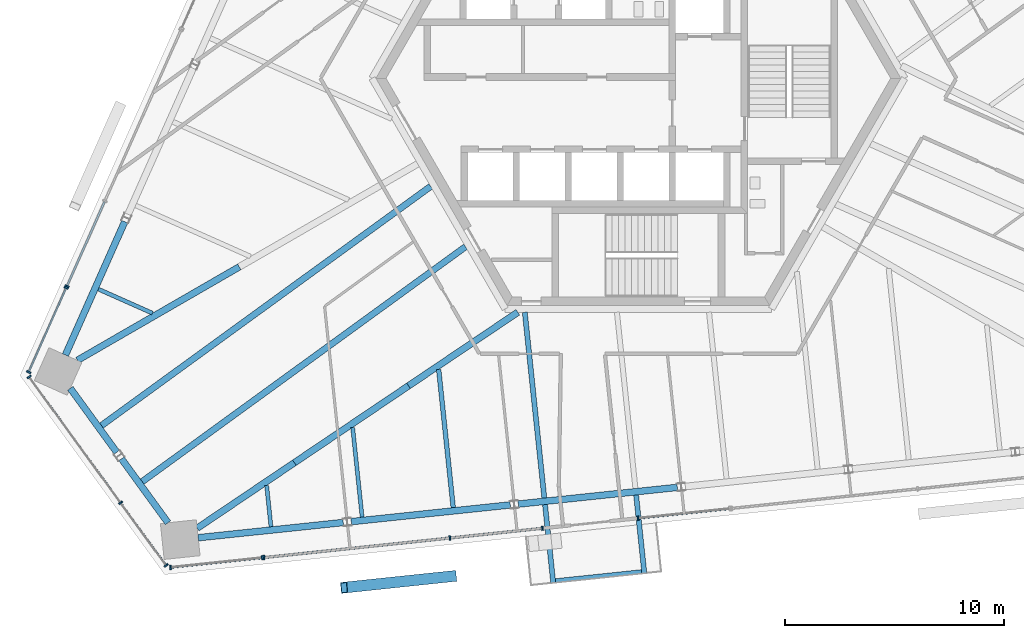
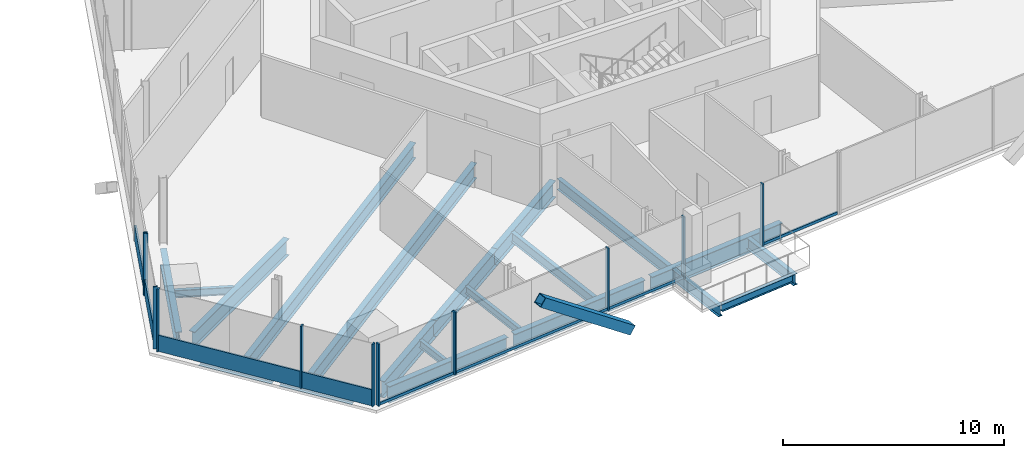
# One storey, part 4 of 19: 21 members, 20 beams, 6 elements without a shape of their own.
"""IFC4 building model written with IfcOpenShell, lengths in metres."""

from ifc_helpers import new_model, si_unit, direction, frame, origin, origin_2d, place, context, subcontext, project, spatial, rectangle, hollow_rectangle, i_section, extrude, source, transform, mapped, material, material_profile, profile_set, type_object, element, aggregate, save


model = new_model("IFC4")

# Units and contexts
model_context = context("Model", 3, precision=1e-05, world=origin(), true_north=direction((0.0, 1.0)))
body_context = subcontext(model_context, "Body", "Model", "MODEL_VIEW")
ifc_project = project(units=[si_unit("LENGTHUNIT", "METRE"), si_unit("AREAUNIT", "SQUARE_METRE"), si_unit("VOLUMEUNIT", "CUBIC_METRE"), si_unit("PLANEANGLEUNIT", "RADIAN"), si_unit("MASSUNIT", "GRAM", prefix="KILO")], contexts=[model_context])

# Site, building, storey
site_placement = place(None, origin())
site = spatial("IfcSite", under=ifc_project, at=site_placement, CompositionType="ELEMENT")
building_placement = place(site_placement, origin())
building = spatial("IfcBuilding", under=site, at=building_placement, Name="Triune Harvest Tower", CompositionType="ELEMENT")
storey_placement = place(building_placement, frame((0.0, 0.0, 244.89990234375)))
storey = spatial("IfcBuildingStorey", under=building, at=storey_placement, Name="L64", CompositionType="ELEMENT", Elevation=244.89990234375)

# Curtain wall, member
ifc_material_1 = material(Name="Aluminium bronze anodised", Category="aluminium")
curtain_wall_type_1 = type_object("IfcCurtainWallType", Name="CW-6 Balcony window wall", PredefinedType="NOTDEFINED", material=ifc_material_1)
curtain_wall_1_placement = place(storey_placement, origin())
curtain_wall_1 = element("IfcCurtainWall", 1, at=curtain_wall_1_placement, inside=storey, type_object=curtain_wall_type_1, Name="CW-6 B6-F5 L64 run 1")
ifc_material_2 = material(Name="Aluminium bronze anodised", Category="aluminium")
ifc_material_profile_1 = material_profile(ifc_material_2, rectangle(XDim=0.090087890625, YDim=0.14990234375, at=origin_2d()), Name="TR-6 transom 90 x 150")
ifc_profile_set_1 = profile_set([ifc_material_profile_1], Name="Aluminium bronze anodised")
member_type_1 = type_object("IfcMemberType", Name="TR-6 transom 90 x 150", PredefinedType="USERDEFINED", material=ifc_profile_set_1)
member_1_placement = place(storey_placement, frame((-21.35498046875, -22.358154296875, 0.0751953125), z_axis=(0.994522872176, 0.104519169149, 0.0), x_axis=(-0.104519169149, 0.994522872176, 0.0)))
member_1 = element("IfcMember", 2, at=member_1_placement, type_object=member_type_1, Name="CW-6 transom B6-F5 1.1", ObjectType="TRANSOM", PredefinedType="USERDEFINED", context=body_context, shape_type="SweptSolid", body=[
    extrude(rectangle(XDim=0.090087890625, YDim=0.14990234375, at=origin_2d()), origin(), (0.0, 0.0, 1.0), 4.143798828125),
])

ifc_material_3 = material(Name="Aluminium bronze anodised", Category="aluminium")
curtain_wall_type_2 = type_object("IfcCurtainWallType", Name="CW-10 Balcony window wall with insulated spandrel infill", PredefinedType="NOTDEFINED", material=ifc_material_3)
curtain_wall_2_placement = place(storey_placement, origin())
curtain_wall_2 = element("IfcCurtainWall", 3, at=curtain_wall_2_placement, inside=storey, type_object=curtain_wall_type_2, Name="CW-10 B6-F5 L64 run 1001")
member_2_placement = place(storey_placement, frame((-8.581298828125, -21.015625, 0.0751953125), z_axis=(0.994517284065, 0.104572327585, 0.0), x_axis=(-0.104572327585, 0.994517284065, 0.0)))
member_2 = element("IfcMember", 4, at=member_2_placement, type_object=member_type_1, Name="CW-10 transom B6-F5 1001.2", ObjectType="TRANSOM", PredefinedType="USERDEFINED", context=body_context, shape_type="SweptSolid", body=[
    extrude(rectangle(XDim=0.090087890625, YDim=0.14990234375, at=origin_2d()), origin(), (0.0, 0.0, 1.0), 4.181396484375),
])

curtain_wall_3_placement = place(storey_placement, origin())
curtain_wall_3 = element("IfcCurtainWall", 5, at=curtain_wall_3_placement, inside=storey, type_object=curtain_wall_type_1, Name="CW-6 B6-F5 L64 run 2")
member_3_placement = place(storey_placement, frame((0.019287109375, -20.111572265625, 0.0751953125), z_axis=(0.994523806529, 0.104510278191, 0.0), x_axis=(-0.104510278191, 0.994523806529, 0.0)))
member_3 = element("IfcMember", 6, at=member_3_placement, type_object=member_type_1, Name="CW-6 transom B6-F5 2.1", ObjectType="TRANSOM", PredefinedType="USERDEFINED", context=body_context, shape_type="SweptSolid", body=[
    extrude(rectangle(XDim=0.090087890625, YDim=0.14990234375, at=origin_2d()), origin(), (0.0, 0.0, 1.0), 4.151123046875),
])

# Beams
ifc_material_4 = material(Name="Steel ASTM A992 Gr 50", Category="steel")
ifc_material_profile_2 = material_profile(ifc_material_4, i_section(OverallWidth=0.3046875, OverallDepth=0.914306640625, WebThickness=0.0166015625, FlangeThickness=0.02587890625, at=origin_2d()), Name="W36x160")
ifc_profile_set_2 = profile_set([ifc_material_profile_2], Name="Steel ASTM A992 Gr 50")
beam_type_1 = type_object("IfcBeamType", Name="HG-3 Hip girder W36x160", PredefinedType="BEAM", material=ifc_profile_set_2)
shared_shape_1 = source(origin(), body_context, "Body", "SweptSolid", [
    extrude(i_section(OverallWidth=0.3046875, OverallDepth=0.914306640625, WebThickness=0.0166015625, FlangeThickness=0.02587890625, at=origin_2d()), origin(), (0.0, 0.0, 1.0), 6.293701171875),
])
beam_1_placement = place(storey_placement, frame((-15.72802734375, -17.576904296875, -0.6171875), z_axis=(0.829391075311, 0.558668456416, 0.0), x_axis=(-0.558668456416, 0.829391075311, 0.0)))
element("IfcBeam", 7, at=beam_1_placement, inside=storey, type_object=beam_type_1, Name="beam/L64/HG8", PredefinedType="BEAM", context=body_context, shape_type="MappedRepresentation", body=[
    mapped(shared_shape_1, transform((0.0, 0.0, 0.0), scale=1.0)),
])
shared_shape_2 = source(origin(), body_context, "Body", "SweptSolid", [
    extrude(i_section(OverallWidth=0.3046875, OverallDepth=0.914306640625, WebThickness=0.0166015625, FlangeThickness=0.02587890625, at=origin_2d()), origin(), (0.0, 0.0, 1.0), 6.02099609375),
])
beam_2_placement = place(storey_placement, frame((-10.508056640625, -14.060791015625, -0.6171875), z_axis=(0.829383245618, 0.558680080088, 0.0), x_axis=(-0.558680080088, 0.829383245618, 0.0)))
element("IfcBeam", 8, at=beam_2_placement, inside=storey, type_object=beam_type_1, Name="beam/L64/HG9", PredefinedType="BEAM", context=body_context, shape_type="MappedRepresentation", body=[
    mapped(shared_shape_2, transform((0.0, 0.0, 0.0), scale=1.0)),
])
ifc_material_5 = material(Name="Steel ASTM A992 Gr 50", Category="steel")
ifc_material_profile_3 = material_profile(ifc_material_5, i_section(OverallWidth=0.3046875, OverallDepth=0.914306640625, WebThickness=0.0166015625, FlangeThickness=0.02587890625, at=origin_2d()), Name="W36x160")
ifc_profile_set_3 = profile_set([ifc_material_profile_3], Name="Steel ASTM A992 Gr 50")
beam_type_2 = type_object("IfcBeamType", Name="SB-1 Spandrel beam W36x160", PredefinedType="SPANDREL", material=ifc_profile_set_3)
shared_shape_3 = source(origin(), body_context, "Body", "SweptSolid", [
    extrude(i_section(OverallWidth=0.3046875, OverallDepth=0.914306640625, WebThickness=0.0166015625, FlangeThickness=0.02587890625, at=origin_2d()), origin(), (0.0, 0.0, 1.0), 6.67041015625),
])
beam_3_placement = place(storey_placement, frame((-20.127685546875, -21.007080078125, -0.6171875), z_axis=(0.994521485501, 0.104532362822, 0.0), x_axis=(-0.104532362822, 0.994521485501, 0.0)))
element("IfcBeam", 9, at=beam_3_placement, inside=storey, type_object=beam_type_2, Name="beam/L64/SB17", PredefinedType="SPANDREL", context=body_context, shape_type="MappedRepresentation", body=[
    mapped(shared_shape_3, transform((0.0, 0.0, 0.0), scale=1.0)),
])
shared_shape_4 = source(origin(), body_context, "Body", "SweptSolid", [
    extrude(i_section(OverallWidth=0.3046875, OverallDepth=0.914306640625, WebThickness=0.0166015625, FlangeThickness=0.02587890625, at=origin_2d()), origin(), (0.0, 0.0, 1.0), 7.31103515625),
])
beam_4_placement = place(storey_placement, frame((-13.127685546875, -20.271240234375, -0.6171875), z_axis=(0.994522639393, 0.104521384101, 0.0), x_axis=(-0.104521384101, 0.994522639393, 0.0)))
element("IfcBeam", 10, at=beam_4_placement, inside=storey, type_object=beam_type_2, Name="beam/L64/SB18", PredefinedType="SPANDREL", context=body_context, shape_type="MappedRepresentation", body=[
    mapped(shared_shape_4, transform((0.0, 0.0, 0.0), scale=1.0)),
])
shared_shape_5 = source(origin(), body_context, "Body", "SweptSolid", [
    extrude(i_section(OverallWidth=0.3046875, OverallDepth=0.914306640625, WebThickness=0.0166015625, FlangeThickness=0.02587890625, at=origin_2d()), origin(), (0.0, 0.0, 1.0), 3.614990234375),
])
for number, where, z_axis, x_axis, name in (
    (11, (-25.974365234375, -14.175537109375, -0.6171875), (0.587818273033, -0.808993002373, 0.0), (0.808993002373, 0.587818273033, 0.0), "beam/L64/SB15"),
    (12, (-23.633056640625, -17.39794921875, -0.6171875), (0.587818273033, -0.808993002373, 0.0), (0.808993002373, 0.587818273033, 0.0), "beam/L64/SB16"),
):
    element("IfcBeam", number, at=place(storey_placement, frame(where, z_axis=z_axis, x_axis=x_axis)), inside=storey, type_object=beam_type_2, Name=name, PredefinedType="SPANDREL", context=body_context, shape_type="MappedRepresentation", body=[
        mapped(shared_shape_5, transform((0.0, 0.0, 0.0), scale=1.0)),
    ])
shared_shape_6 = source(origin(), body_context, "Body", "SweptSolid", [
    extrude(i_section(OverallWidth=0.3046875, OverallDepth=0.914306640625, WebThickness=0.0166015625, FlangeThickness=0.02587890625, at=origin_2d()), origin(), (0.0, 0.0, 1.0), 6.670166015625),
])
beam_5_placement = place(storey_placement, frame((-23.485595703125, -6.5576171875, -0.6171875), z_axis=(-0.406722507275, -0.913551751176, 0.0), x_axis=(0.913551751176, -0.406722507275, 0.0)))
element("IfcBeam", 13, at=beam_5_placement, inside=storey, type_object=beam_type_2, Name="beam/L64/SB14", PredefinedType="SPANDREL", context=body_context, shape_type="MappedRepresentation", body=[
    mapped(shared_shape_6, transform((0.0, 0.0, 0.0), scale=1.0)),
])
shared_shape_7 = source(origin(), body_context, "Body", "SweptSolid", [
    extrude(i_section(OverallWidth=0.3046875, OverallDepth=0.914306640625, WebThickness=0.0166015625, FlangeThickness=0.02587890625, at=origin_2d()), origin(), (0.0, 0.0, 1.0), 7.311279296875),
])
beam_6_placement = place(storey_placement, frame((-5.490478515625, -19.468505859375, -0.6171875), z_axis=(0.994519532674, 0.104550940362, 0.0), x_axis=(-0.104550940362, 0.994519532674, 0.0)))
element("IfcBeam", 14, at=beam_6_placement, inside=storey, type_object=beam_type_2, Name="beam/L64/SB19", PredefinedType="SPANDREL", context=body_context, shape_type="MappedRepresentation", body=[
    mapped(shared_shape_7, transform((0.0, 0.0, 0.0), scale=1.0)),
])
shared_shape_8 = source(origin(), body_context, "Body", "SweptSolid", [
    extrude(i_section(OverallWidth=0.3046875, OverallDepth=0.914306640625, WebThickness=0.0166015625, FlangeThickness=0.02587890625, at=origin_2d()), origin(), (0.0, 0.0, 1.0), 8.548583984375),
])
beam_7_placement = place(storey_placement, frame((-25.651123046875, -12.89501953125, -0.6171875), z_axis=(0.866020080793, 0.500009219579, 0.0), x_axis=(-0.500009219579, 0.866020080793, 0.0)))
element("IfcBeam", 15, at=beam_7_placement, inside=storey, type_object=beam_type_1, Name="beam/L64/HG5", PredefinedType="BEAM", context=body_context, shape_type="MappedRepresentation", body=[
    mapped(shared_shape_8, transform((0.0, 0.0, 0.0), scale=1.0)),
])
shared_shape_9 = source(origin(), body_context, "Body", "SweptSolid", [
    extrude(i_section(OverallWidth=0.3046875, OverallDepth=0.914306640625, WebThickness=0.0166015625, FlangeThickness=0.02587890625, at=origin_2d()), origin(), (0.0, 0.0, 1.0), 5.35986328125),
])
beam_8_placement = place(storey_placement, frame((-20.173583984375, -20.5712890625, -0.6171875), z_axis=(0.829399024376, 0.558656655169, 0.0), x_axis=(-0.558656655169, 0.829399024376, 0.0)))
element("IfcBeam", 16, at=beam_8_placement, inside=storey, type_object=beam_type_1, Name="beam/L64/HG7", PredefinedType="BEAM", context=body_context, shape_type="MappedRepresentation", body=[
    mapped(shared_shape_9, transform((0.0, 0.0, 0.0), scale=1.0)),
])
ifc_material_6 = material(Name="Steel ASTM A992 Gr 50", Category="steel")
ifc_material_profile_4 = material_profile(ifc_material_6, i_section(OverallWidth=0.2099609375, OverallDepth=0.535888671875, WebThickness=0.010986328125, FlangeThickness=0.017333984375, at=origin_2d()), Name="W21x68")
ifc_profile_set_4 = profile_set([ifc_material_profile_4], Name="Steel ASTM A992 Gr 50")
beam_type_3 = type_object("IfcBeamType", Name="JT-2 Floor joist W21x68", PredefinedType="JOIST", material=ifc_profile_set_4)
shared_shape_10 = source(origin(), body_context, "Body", "SweptSolid", [
    extrude(i_section(OverallWidth=0.2099609375, OverallDepth=0.535888671875, WebThickness=0.010986328125, FlangeThickness=0.017333984375, at=origin_2d()), origin(), (0.0, 0.0, 1.0), 6.346435546875),
])
beam_9_placement = place(storey_placement, frame((-8.466552734375, -19.628173828125, -0.427978515625), z_axis=(-0.104518578592, 0.99452293424, 0.0), x_axis=(-0.99452293424, -0.104518578592, 0.0)))
element("IfcBeam", 17, at=beam_9_placement, inside=storey, type_object=beam_type_3, Name="beam/L64/JT27", PredefinedType="JOIST", context=body_context, shape_type="MappedRepresentation", body=[
    mapped(shared_shape_10, transform((0.0, 0.0, 0.0), scale=1.0)),
])
ifc_material_7 = material(Name="Steel ASTM A992 Gr 50", Category="steel")
ifc_material_profile_5 = material_profile(ifc_material_7, i_section(OverallWidth=0.2919921875, OverallDepth=0.8408203125, WebThickness=0.0146484375, FlangeThickness=0.021728515625, at=origin_2d()), Name="W33x130")
ifc_profile_set_5 = profile_set([ifc_material_profile_5], Name="Steel ASTM A992 Gr 50")
beam_type_4 = type_object("IfcBeamType", Name="JT-6 Floor joist W33x130", PredefinedType="JOIST", material=ifc_profile_set_5)
shared_shape_11 = source(origin(), body_context, "Body", "SweptSolid", [
    extrude(i_section(OverallWidth=0.2919921875, OverallDepth=0.8408203125, WebThickness=0.0146484375, FlangeThickness=0.021728515625, at=origin_2d()), origin(), (0.0, 0.0, 1.0), 18.27099609375),
])
beam_10_placement = place(storey_placement, frame((-22.68701171875, -18.44091796875, -0.580322265625), z_axis=(0.809013927609, 0.587789473311, 0.0), x_axis=(-0.587789473311, 0.809013927609, 0.0)))
element("IfcBeam", 18, at=beam_10_placement, inside=storey, type_object=beam_type_4, Name="beam/L64/JT24", PredefinedType="JOIST", context=body_context, shape_type="MappedRepresentation", body=[
    mapped(shared_shape_11, transform((0.0, 0.0, 0.0), scale=1.0)),
])
ifc_material_8 = material(Name="Steel ASTM A992 Gr 50", Category="steel")
ifc_material_profile_6 = material_profile(ifc_material_8, i_section(OverallWidth=0.180908203125, OverallDepth=0.41650390625, WebThickness=0.010986328125, FlangeThickness=0.01806640625, at=origin_2d()), Name="W16x57")
ifc_profile_set_6 = profile_set([ifc_material_profile_6], Name="Steel ASTM A992 Gr 50")
beam_type_5 = type_object("IfcBeamType", Name="JT-1 Floor joist W16x57", PredefinedType="JOIST", material=ifc_profile_set_6)
shared_shape_12 = source(origin(), body_context, "Body", "SweptSolid", [
    extrude(i_section(OverallWidth=0.180908203125, OverallDepth=0.41650390625, WebThickness=0.010986328125, FlangeThickness=0.01806640625, at=origin_2d()), origin(), (0.0, 0.0, 1.0), 1.899169921875),
])
beam_11_placement = place(storey_placement, frame((-16.79833984375, -20.50390625, -0.3681640625), z_axis=(-0.104517481806, 0.994523049505, 0.0), x_axis=(-0.994523049505, -0.104517481806, 0.0)))
element("IfcBeam", 19, at=beam_11_placement, inside=storey, type_object=beam_type_5, Name="beam/L64/JT25", PredefinedType="JOIST", context=body_context, shape_type="MappedRepresentation", body=[
    mapped(shared_shape_12, transform((0.0, 0.0, 0.0), scale=1.0)),
])
shared_shape_13 = source(origin(), body_context, "Body", "SweptSolid", [
    extrude(i_section(OverallWidth=0.180908203125, OverallDepth=0.41650390625, WebThickness=0.010986328125, FlangeThickness=0.01806640625, at=origin_2d()), origin(), (0.0, 0.0, 1.0), 4.12255859375),
])
beam_12_placement = place(storey_placement, frame((-12.632568359375, -20.06591796875, -0.3681640625), z_axis=(-0.104521403768, 0.994522637326, 0.0), x_axis=(-0.994522637326, -0.104521403768, 0.0)))
element("IfcBeam", 20, at=beam_12_placement, inside=storey, type_object=beam_type_5, Name="beam/L64/JT26", PredefinedType="JOIST", context=body_context, shape_type="MappedRepresentation", body=[
    mapped(shared_shape_13, transform((0.0, 0.0, 0.0), scale=1.0)),
])
shared_shape_14 = source(origin(), body_context, "Body", "SweptSolid", [
    extrude(i_section(OverallWidth=0.180908203125, OverallDepth=0.41650390625, WebThickness=0.010986328125, FlangeThickness=0.01806640625, at=origin_2d()), origin(), (0.0, 0.0, 1.0), 2.702392578125),
])
beam_13_placement = place(storey_placement, frame((-24.691162109375, -9.64013671875, -0.3681640625), z_axis=(0.913550575703, -0.406725147529, 0.0), x_axis=(0.406725147529, 0.913550575703, 0.0)))
element("IfcBeam", 21, at=beam_13_placement, inside=storey, type_object=beam_type_5, Name="beam/L64/JT22", PredefinedType="JOIST", context=body_context, shape_type="MappedRepresentation", body=[
    mapped(shared_shape_14, transform((0.0, 0.0, 0.0), scale=1.0)),
])
shared_shape_15 = source(origin(), body_context, "Body", "SweptSolid", [
    extrude(i_section(OverallWidth=0.2919921875, OverallDepth=0.8408203125, WebThickness=0.0146484375, FlangeThickness=0.021728515625, at=origin_2d()), origin(), (0.0, 0.0, 1.0), 18.603515625),
])
beam_14_placement = place(storey_placement, frame((-24.548828125, -15.8779296875, -0.580322265625), z_axis=(0.809011797406, 0.58779240524, 0.0), x_axis=(-0.58779240524, 0.809011797406, 0.0)))
element("IfcBeam", 22, at=beam_14_placement, inside=storey, type_object=beam_type_4, Name="beam/L64/JT23", PredefinedType="JOIST", context=body_context, shape_type="MappedRepresentation", body=[
    mapped(shared_shape_15, transform((0.0, 0.0, 0.0), scale=1.0)),
])
ifc_material_9 = material(Name="Steel ASTM A992 Gr 50", Category="steel")
ifc_material_profile_7 = material_profile(ifc_material_9, i_section(OverallWidth=0.22900390625, OverallDepth=0.612060546875, WebThickness=0.011962890625, FlangeThickness=0.01953125, at=origin_2d()), Name="W24x84")
ifc_profile_set_7 = profile_set([ifc_material_profile_7], Name="Steel ASTM A992 Gr 50")
beam_type_6 = type_object("IfcBeamType", Name="JT-3 Floor joist W24x84", PredefinedType="JOIST", material=ifc_profile_set_7)
shared_shape_16 = source(origin(), body_context, "Body", "SweptSolid", [
    extrude(i_section(OverallWidth=0.22900390625, OverallDepth=0.612060546875, WebThickness=0.011962890625, FlangeThickness=0.01953125, at=origin_2d()), origin(), (0.0, 0.0, 1.0), 8.5400390625),
])
beam_15_placement = place(storey_placement, frame((-4.30078125, -19.190185546875, -0.466064453125), z_axis=(-0.104546386162, 0.994520011433, 0.0), x_axis=(-0.994520011433, -0.104546386162, 0.0)))
element("IfcBeam", 23, at=beam_15_placement, inside=storey, type_object=beam_type_6, Name="beam/L64/JT28", PredefinedType="JOIST", context=body_context, shape_type="MappedRepresentation", body=[
    mapped(shared_shape_16, transform((0.0, 0.0, 0.0), scale=1.0)),
])

# Member
ifc_material_10 = material(Name="Steel ASTM A572 Gr 50", Category="steel")
ifc_material_profile_8 = material_profile(ifc_material_10, hollow_rectangle(XDim=0.5, YDim=0.5, WallThickness=0.030029296875, at=origin_2d()), Name="Box 500x500x30")
ifc_profile_set_8 = profile_set([ifc_material_profile_8], Name="Steel ASTM A572 Gr 50")
member_type_2 = type_object("IfcMemberType", Name="BR-3 Brace Box 500x500x30", PredefinedType="BRACE", material=ifc_profile_set_8)
shared_shape_17 = source(origin(), body_context, "Body", "SweptSolid", [
    extrude(hollow_rectangle(XDim=0.5, YDim=0.5, WallThickness=0.030029296875, at=origin_2d()), origin(), (0.0, 0.0, 1.0), 6.1708984375),
])
member_4_placement = place(storey_placement, frame((-8.472900390625, -22.763916015625, 0.0), z_axis=(-0.80774760398, -0.084861566858, 0.583388654959), x_axis=(0.10448446795, -0.994526518479, 0.0)))
element("IfcMember", 24, at=member_4_placement, inside=storey, type_object=member_type_2, Name="brace/B6-F5/d2/8", PredefinedType="BRACE", context=body_context, shape_type="MappedRepresentation", body=[
    mapped(shared_shape_17, transform((0.0, 0.0, 0.0), scale=1.0)),
])

# Beams
ifc_material_11 = material(Name="Steel ASTM A992 Gr 50", Category="steel")
ifc_material_profile_9 = material_profile(ifc_material_11, i_section(OverallWidth=0.22900390625, OverallDepth=0.612060546875, WebThickness=0.011962890625, FlangeThickness=0.01953125, at=origin_2d()), Name="W24x84")
ifc_profile_set_9 = profile_set([ifc_material_profile_9], Name="Steel ASTM A992 Gr 50")
beam_type_7 = type_object("IfcBeamType", Name="BJ-3 Balcony cantilever joist W24x84", PredefinedType="JOIST", material=ifc_profile_set_9)
shared_shape_18 = source(origin(), body_context, "Body", "SweptSolid", [
    extrude(i_section(OverallWidth=0.22900390625, OverallDepth=0.612060546875, WebThickness=0.011962890625, FlangeThickness=0.01953125, at=origin_2d()), origin(), (0.0, 0.0, 1.0), 3.59765625),
])
for number, where, z_axis, x_axis, name in (
    (25, (-4.268798828125, -19.493408203125, -0.466064453125), (0.104508154604, -0.994524029685, 0.0), (0.994524029685, 0.104508154604, 0.0), "Balcony cantilever joist B6-F5 L64.5a"),
    (26, (-0.10302734375, -19.055419921875, -0.466064453125), (0.104508154604, -0.994524029685, 0.0), (0.994524029685, 0.104508154604, 0.0), "Balcony cantilever joist B6-F5 L64.5b"),
):
    element("IfcBeam", number, at=place(storey_placement, frame(where, z_axis=z_axis, x_axis=x_axis)), inside=storey, type_object=beam_type_7, Name=name, PredefinedType="JOIST", context=body_context, shape_type="MappedRepresentation", body=[
        mapped(shared_shape_18, transform((0.0, 0.0, 0.0), scale=1.0)),
    ])

# Curtain wall, member
ifc_material_12 = material(Name="Aluminium bronze anodised", Category="aluminium")
curtain_wall_type_3 = type_object("IfcCurtainWallType", Name="CW-7 Tower stick curtain wall with insulated spandrel infill", PredefinedType="NOTDEFINED", material=ifc_material_12)
curtain_wall_4_placement = place(storey_placement, origin())
curtain_wall_4 = element("IfcCurtainWall", 27, at=curtain_wall_4_placement, inside=storey, type_object=curtain_wall_type_3, Name="CW-7 B6-F3 L64 run 3001")
ifc_material_13 = material(Name="Aluminium bronze anodised", Category="aluminium")
ifc_material_profile_10 = material_profile(ifc_material_13, rectangle(XDim=0.199951171875, YDim=0.074951171875, at=origin_2d()), Name="MU-1 mullion 75 x 200")
ifc_profile_set_10 = profile_set([ifc_material_profile_10], Name="Aluminium bronze anodised")
member_type_3 = type_object("IfcMemberType", Name="MU-1 mullion 75 x 200", PredefinedType="MULLION", material=ifc_profile_set_10)
shared_shape_19 = source(origin(), body_context, "Body", "SweptSolid", [
    extrude(rectangle(XDim=0.199951171875, YDim=0.074951171875, at=origin_2d()), origin(), (0.0, 0.0, 1.0), 3.440185546875),
])
member_5_placement = place(storey_placement, frame((-26.129150390625, -9.5068359375, 0.0), z_axis=(0.0, 0.0, 1.0), x_axis=(0.913546350866, -0.406734636858, 0.0)))
member_5 = element("IfcMember", 28, at=member_5_placement, type_object=member_type_3, Name="CW-7 mullion B6-F3 3001.4", PredefinedType="MULLION", context=body_context, shape_type="MappedRepresentation", body=[
    mapped(shared_shape_19, transform((0.0, 0.0, 0.0), scale=1.0)),
])

# Curtain wall, members
ifc_material_14 = material(Name="Aluminium bronze anodised", Category="aluminium")
curtain_wall_type_4 = type_object("IfcCurtainWallType", Name="CW-1 Tower stick curtain wall", PredefinedType="NOTDEFINED", material=ifc_material_14)
curtain_wall_5_placement = place(storey_placement, origin())
curtain_wall_5 = element("IfcCurtainWall", 29, at=curtain_wall_5_placement, inside=storey, type_object=curtain_wall_type_4, Name="CW-1 B6-F3 L64 run 4001")
member_6_placement = place(storey_placement, frame((-26.15966796875, -9.5751953125, 0.0), z_axis=(0.0, 0.0, 1.0), x_axis=(0.913544574453, -0.406738626747, 0.0)))
member_6 = element("IfcMember", 30, at=member_6_placement, type_object=member_type_3, Name="CW-1 mullion B6-F3 4001.1", PredefinedType="MULLION", context=body_context, shape_type="MappedRepresentation", body=[
    mapped(shared_shape_19, transform((0.0, 0.0, 0.0), scale=1.0)),
])
member_7_placement = place(storey_placement, frame((-27.878173828125, -13.43505859375, 0.0), z_axis=(0.0, 0.0, 1.0), x_axis=(0.913544574453, -0.406738626747, 0.0)))
member_7 = element("IfcMember", 31, at=member_7_placement, type_object=member_type_3, Name="CW-1 mullion B6-F3 4001.2", PredefinedType="MULLION", context=body_context, shape_type="MappedRepresentation", body=[
    mapped(shared_shape_19, transform((0.0, 0.0, 0.0), scale=1.0)),
])

curtain_wall_6_placement = place(storey_placement, origin())
curtain_wall_6 = element("IfcCurtainWall", 32, at=curtain_wall_6_placement, inside=storey, type_object=curtain_wall_type_4, Name="CW-1 B6-F4 L64 run 1")
member_8_placement = place(storey_placement, frame((-27.855224609375, -13.654541015625, 0.0), z_axis=(0.0, 0.0, 1.0), x_axis=(0.809014317982, 0.587788936013, 0.0)))
member_8 = element("IfcMember", 33, at=member_8_placement, type_object=member_type_3, Name="CW-1 mullion B6-F4 1.1", PredefinedType="MULLION", context=body_context, shape_type="MappedRepresentation", body=[
    mapped(shared_shape_19, transform((0.0, 0.0, 0.0), scale=1.0)),
])
member_9_placement = place(storey_placement, frame((-23.673828125, -19.409912109375, 0.0), z_axis=(0.0, 0.0, 1.0), x_axis=(0.809014317982, 0.587788936013, 0.0)))
member_9 = element("IfcMember", 34, at=member_9_placement, type_object=member_type_3, Name="CW-1 mullion B6-F4 1.3", PredefinedType="MULLION", context=body_context, shape_type="MappedRepresentation", body=[
    mapped(shared_shape_19, transform((0.0, 0.0, 0.0), scale=1.0)),
])
member_10_placement = place(storey_placement, frame((-21.593994140625, -22.272216796875, 0.0), z_axis=(0.0, 0.0, 1.0), x_axis=(0.809014317982, 0.587788936013, 0.0)))
member_10 = element("IfcMember", 35, at=member_10_placement, type_object=member_type_3, Name="CW-1 mullion B6-F4 1.4", PredefinedType="MULLION", context=body_context, shape_type="MappedRepresentation", body=[
    mapped(shared_shape_19, transform((0.0, 0.0, 0.0), scale=1.0)),
])

# Member
ifc_material_15 = material(Name="Aluminium bronze anodised", Category="aluminium")
ifc_material_profile_11 = material_profile(ifc_material_15, rectangle(XDim=0.199951171875, YDim=0.074951171875, at=origin_2d()), Name="MU-6 mullion 75 x 200")
ifc_profile_set_11 = profile_set([ifc_material_profile_11], Name="Aluminium bronze anodised")
member_type_4 = type_object("IfcMemberType", Name="MU-6 mullion 75 x 200", PredefinedType="MULLION", material=ifc_profile_set_11)
shared_shape_20 = source(origin(), body_context, "Body", "SweptSolid", [
    extrude(rectangle(XDim=0.199951171875, YDim=0.074951171875, at=origin_2d()), origin(), (0.0, 0.0, 1.0), 3.440185546875),
])
member_11_placement = place(storey_placement, frame((-21.392333984375, -22.362060546875, 0.0), z_axis=(0.0, 0.0, 1.0), x_axis=(-0.104518308966, 0.994522962576, 0.0)))
member_11 = element("IfcMember", 36, at=member_11_placement, type_object=member_type_4, Name="CW-6 mullion B6-F5 1.1", PredefinedType="MULLION", context=body_context, shape_type="MappedRepresentation", body=[
    mapped(shared_shape_20, transform((0.0, 0.0, 0.0), scale=1.0)),
])

member_12_placement = place(storey_placement, frame((-17.196533203125, -21.921142578125, 0.0), z_axis=(0.0, 0.0, 1.0), x_axis=(-0.104518308966, 0.994522962576, 0.0)))
member_12 = element("IfcMember", 37, at=member_12_placement, type_object=member_type_4, Name="CW-6 mullion B6-F5 1.2", PredefinedType="MULLION", context=body_context, shape_type="MappedRepresentation", body=[
    mapped(shared_shape_20, transform((0.0, 0.0, 0.0), scale=1.0)),
])

aggregate(curtain_wall_1, [member_11, member_12, member_1])

member_13_placement = place(storey_placement, frame((-17.121826171875, -21.913330078125, 0.0), z_axis=(0.0, 0.0, 1.0), x_axis=(-0.104533722887, 0.994521342546, 0.0)))
member_13 = element("IfcMember", 38, at=member_13_placement, type_object=member_type_4, Name="CW-10 mullion B6-F5 1001.1", PredefinedType="MULLION", context=body_context, shape_type="MappedRepresentation", body=[
    mapped(shared_shape_20, transform((0.0, 0.0, 0.0), scale=1.0)),
])

member_14_placement = place(storey_placement, frame((-8.618408203125, -21.01953125, 0.0), z_axis=(0.0, 0.0, 1.0), x_axis=(-0.104533722887, 0.994521342546, 0.0)))
member_14 = element("IfcMember", 39, at=member_14_placement, type_object=member_type_4, Name="CW-10 mullion B6-F5 1001.3", PredefinedType="MULLION", context=body_context, shape_type="MappedRepresentation", body=[
    mapped(shared_shape_20, transform((0.0, 0.0, 0.0), scale=1.0)),
])

member_15_placement = place(storey_placement, frame((-4.385498046875, -20.574462890625, 0.0), z_axis=(0.0, 0.0, 1.0), x_axis=(-0.104533722887, 0.994521342546, 0.0)))
member_15 = element("IfcMember", 40, at=member_15_placement, type_object=member_type_4, Name="CW-10 mullion B6-F5 1001.4", PredefinedType="MULLION", context=body_context, shape_type="MappedRepresentation", body=[
    mapped(shared_shape_20, transform((0.0, 0.0, 0.0), scale=1.0)),
])

member_16_placement = place(storey_placement, frame((-0.01806640625, -20.115478515625, 0.0), z_axis=(0.0, 0.0, 1.0), x_axis=(-0.10453505021, 0.994521203031, 0.0)))
member_16 = element("IfcMember", 41, at=member_16_placement, type_object=member_type_4, Name="CW-6 mullion B6-F5 2.1", PredefinedType="MULLION", context=body_context, shape_type="MappedRepresentation", body=[
    mapped(shared_shape_20, transform((0.0, 0.0, 0.0), scale=1.0)),
])

aggregate(curtain_wall_3, [member_16, member_3])

ifc_material_16 = material(Name="Aluminium bronze anodised", Category="aluminium")
ifc_material_profile_12 = material_profile(ifc_material_16, rectangle(XDim=0.090087890625, YDim=0.89990234375, at=origin_2d()), Name="TR-1 transom 90 x 900")
ifc_profile_set_12 = profile_set([ifc_material_profile_12], Name="Aluminium bronze anodised")
member_type_5 = type_object("IfcMemberType", Name="TR-1 transom 90 x 900", PredefinedType="USERDEFINED", material=ifc_profile_set_12)
shared_shape_21 = source(origin(), body_context, "Body", "SweptSolid", [
    extrude(rectangle(XDim=0.090087890625, YDim=0.89990234375, at=origin_2d()), origin(), (0.0, 0.0, 1.0), 7.03857421875),
])
member_17_placement = place(storey_placement, frame((-27.8330078125, -13.68505859375, 0.4501953125), z_axis=(0.587788023707, -0.809014980817, 0.0), x_axis=(0.809014980817, 0.587788023707, 0.0)))
member_17 = element("IfcMember", 42, at=member_17_placement, type_object=member_type_5, Name="CW-1 transom B6-F4 1.1", ObjectType="TRANSOM", PredefinedType="USERDEFINED", context=body_context, shape_type="MappedRepresentation", body=[
    mapped(shared_shape_21, transform((0.0, 0.0, 0.0), scale=1.0)),
])

shared_shape_22 = source(origin(), body_context, "Body", "SweptSolid", [
    extrude(rectangle(XDim=0.090087890625, YDim=0.89990234375, at=origin_2d()), origin(), (0.0, 0.0, 1.0), 3.463134765625),
])
member_18_placement = place(storey_placement, frame((-23.651611328125, -19.440185546875, 0.4501953125), z_axis=(0.58779438563, -0.809010358538, 0.0), x_axis=(0.809010358538, 0.58779438563, 0.0)))
member_18 = element("IfcMember", 43, at=member_18_placement, type_object=member_type_5, Name="CW-1 transom B6-F4 1.2", ObjectType="TRANSOM", PredefinedType="USERDEFINED", context=body_context, shape_type="MappedRepresentation", body=[
    mapped(shared_shape_22, transform((0.0, 0.0, 0.0), scale=1.0)),
])

aggregate(curtain_wall_6, [member_8, member_9, member_10, member_17, member_18])

shared_shape_23 = source(origin(), body_context, "Body", "SweptSolid", [
    extrude(rectangle(XDim=0.090087890625, YDim=0.89990234375, at=origin_2d()), origin(), (0.0, 0.0, 1.0), 4.1875),
])
member_19_placement = place(storey_placement, frame((-24.410888671875, -5.64697265625, 0.4501953125), z_axis=(-0.406722616448, -0.91355170257, 0.0), x_axis=(0.91355170257, -0.406722616448, 0.0)))
member_19 = element("IfcMember", 44, at=member_19_placement, type_object=member_type_5, Name="CW-7 transom B6-F3 3001.2", ObjectType="TRANSOM", PredefinedType="USERDEFINED", context=body_context, shape_type="MappedRepresentation", body=[
    mapped(shared_shape_23, transform((0.0, 0.0, 0.0), scale=1.0)),
])

aggregate(curtain_wall_4, [member_5, member_19])

# Beam
ifc_material_17 = material(Name="Steel ASTM A992 Gr 50", Category="steel")
ifc_material_profile_13 = material_profile(ifc_material_17, i_section(OverallWidth=0.180908203125, OverallDepth=0.41650390625, WebThickness=0.010986328125, FlangeThickness=0.01806640625, at=origin_2d()), Name="W16x57")
ifc_profile_set_13 = profile_set([ifc_material_profile_13], Name="Steel ASTM A992 Gr 50")
beam_type_8 = type_object("IfcBeamType", Name="BE-1 balcony edge beam W16x57", PredefinedType="BEAM", material=ifc_profile_set_13)
shared_shape_24 = source(origin(), body_context, "Body", "SweptSolid", [
    extrude(i_section(OverallWidth=0.180908203125, OverallDepth=0.41650390625, WebThickness=0.010986328125, FlangeThickness=0.01806640625, at=origin_2d()), origin(), (0.0, 0.0, 1.0), 3.95947265625),
])
beam_16_placement = place(storey_placement, frame((-3.788330078125, -22.96923828125, -0.3681640625), z_axis=(0.994523345277, 0.104514667385, 0.0), x_axis=(-0.104514667385, 0.994523345277, 0.0)))
element("IfcBeam", 45, at=beam_16_placement, inside=storey, type_object=beam_type_8, Name="Balcony edge beam B6-F5 L64.5", PredefinedType="BEAM", context=body_context, shape_type="MappedRepresentation", body=[
    mapped(shared_shape_24, transform((0.0, 0.0, 0.0), scale=1.0)),
])

# Member
shared_shape_25 = source(origin(), body_context, "Body", "SweptSolid", [
    extrude(rectangle(XDim=0.090087890625, YDim=0.14990234375, at=origin_2d()), origin(), (0.0, 0.0, 1.0), 8.475341796875),
])
member_20_placement = place(storey_placement, frame((-17.084716796875, -21.909423828125, 0.0751953125), z_axis=(0.994521068015, 0.104536334709, 0.0), x_axis=(-0.104536334709, 0.994521068015, 0.0)))
member_20 = element("IfcMember", 46, at=member_20_placement, type_object=member_type_1, Name="CW-10 transom B6-F5 1001.1", ObjectType="TRANSOM", PredefinedType="USERDEFINED", context=body_context, shape_type="MappedRepresentation", body=[
    mapped(shared_shape_25, transform((0.0, 0.0, 0.0), scale=1.0)),
])

aggregate(curtain_wall_2, [member_13, member_14, member_15, member_20, member_2])

shared_shape_26 = source(origin(), body_context, "Body", "SweptSolid", [
    extrude(rectangle(XDim=0.090087890625, YDim=0.89990234375, at=origin_2d()), origin(), (0.0, 0.0, 1.0), 4.150146484375),
])
member_21_placement = place(storey_placement, frame((-26.175048828125, -9.609619140625, 0.4501953125), z_axis=(-0.406738790823, -0.913544501401, 0.0), x_axis=(0.913544501401, -0.406738790823, 0.0)))
member_21 = element("IfcMember", 47, at=member_21_placement, type_object=member_type_5, Name="CW-1 transom B6-F3 4001.1", ObjectType="TRANSOM", PredefinedType="USERDEFINED", context=body_context, shape_type="MappedRepresentation", body=[
    mapped(shared_shape_26, transform((0.0, 0.0, 0.0), scale=1.0)),
])

aggregate(curtain_wall_5, [member_6, member_7, member_21])

save(model, "model.ifc")
